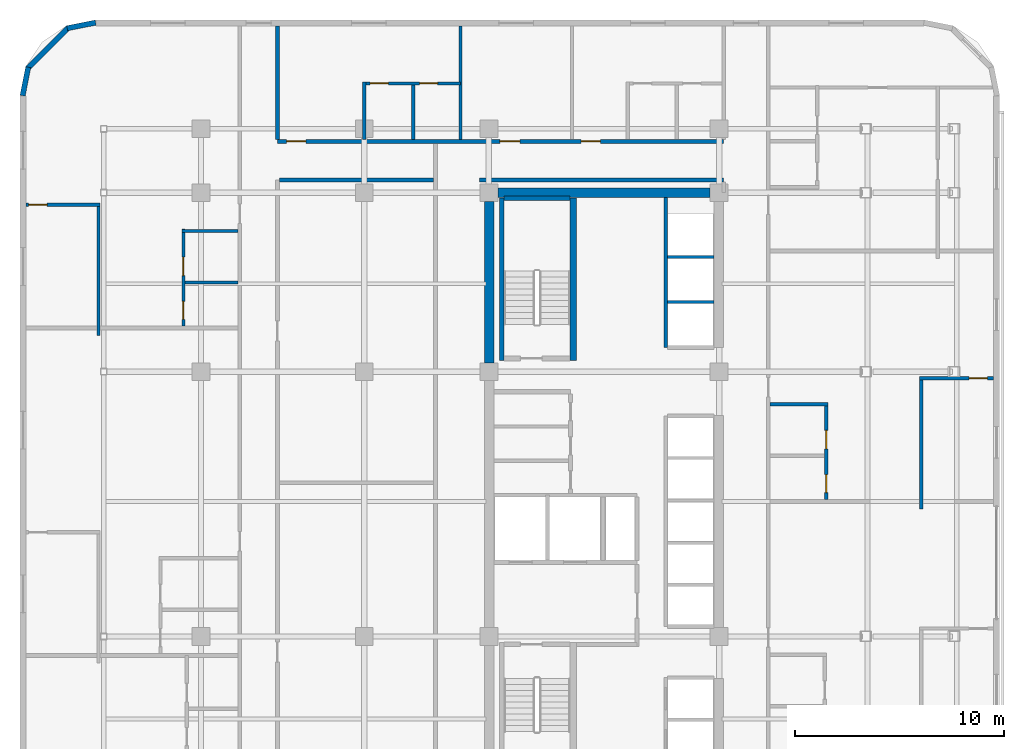
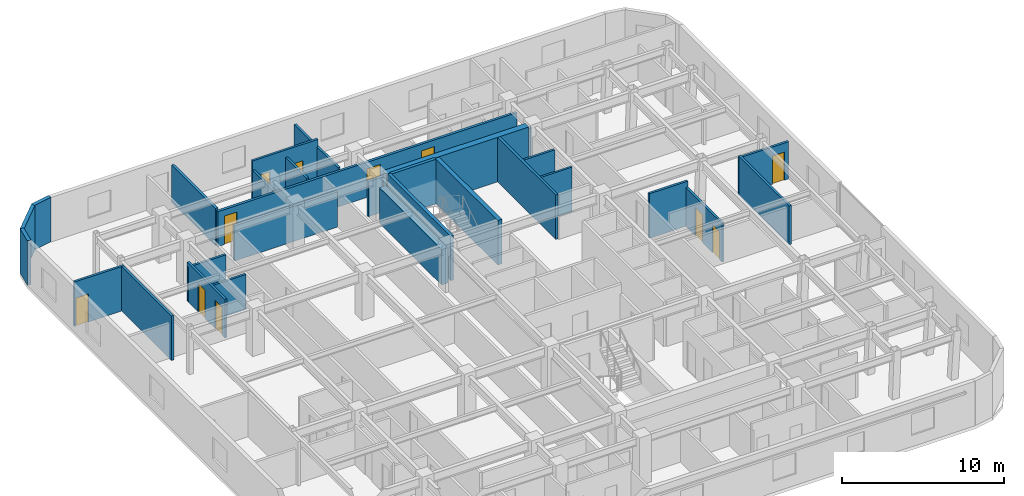
# One storey, part 10 of 15: 28 walls, 11 doors, 11 openings.
"""IFC4 building model written with IfcOpenShell, lengths in metres."""

from ifc_helpers import new_model, si_unit, direction, frame, frame_2d, origin, place, context, subcontext, project, spatial, rectangle, extrude, material, layer, layer_set, type_object, element, fill, save


model = new_model("IFC4")

# Units and contexts
model_context = context("Model", 3, precision=1e-05, world=origin(), true_north=direction((0.0, 1.0)))
body_context = subcontext(model_context, "Body", "Model", "MODEL_VIEW")
ifc_project = project(units=[si_unit("LENGTHUNIT", "METRE"), si_unit("AREAUNIT", "SQUARE_METRE"), si_unit("VOLUMEUNIT", "CUBIC_METRE"), si_unit("PLANEANGLEUNIT", "RADIAN"), si_unit("MASSUNIT", "GRAM", prefix="KILO")], contexts=[model_context])

# Site, building, storey
site_placement = place(None, origin())
site = spatial("IfcSite", under=ifc_project, at=site_placement, CompositionType="ELEMENT")
building_placement = place(site_placement, origin())
building = spatial("IfcBuilding", under=site, at=building_placement, Name="Ochreholt Gables", CompositionType="ELEMENT")
storey_placement = place(building_placement, frame((0.0, 0.0, 64.199951171875)))
storey = spatial("IfcBuildingStorey", under=building, at=storey_placement, Name="L16", CompositionType="ELEMENT", Elevation=64.199951171875)

# Walls
ifc_material_1 = material(Name="Concrete 60 MPa", Category="concrete")
ifc_layer_1 = layer(ifc_material_1, 0.449951171875, Name="Concrete 60 MPa")
ifc_layer_set_1 = layer_set([ifc_layer_1], Name="Concrete 60 MPa")
wall_type_1 = type_object("IfcWallType", Name="WALL-CSW-450", PredefinedType="SHEAR", material=ifc_layer_set_1)
wall_1_placement = place(storey_placement, frame((24.22509765625, 30.625, 0.0), z_axis=(0.0, 0.0, 1.0), x_axis=(0.0, 1.0, 0.0)))
element("IfcWall", 1, at=wall_1_placement, inside=storey, type_object=wall_type_1, Name="L16 Core West Shear Wall WN", PredefinedType="SHEAR", context=body_context, shape_type="SweptSolid", body=[
    extrude(rectangle(XDim=7.699951171875, YDim=0.449951171875, at=frame_2d((3.85009765625, 0.0))), origin(), (0.0, 0.0, 1.0), 2.6669921875),
])
wall_2_placement = place(storey_placement, frame((24.625, 38.75, 0.0), z_axis=(0.0, 0.0, 1.0), x_axis=(1.0, 0.0, 0.0)))
element("IfcWall", 2, at=wall_2_placement, inside=storey, type_object=wall_type_1, Name="L16 Core North Shear Wall", PredefinedType="SHEAR", context=body_context, shape_type="SweptSolid", body=[
    extrude(rectangle(XDim=10.14990234375, YDim=0.449951171875, at=frame_2d((5.074951171875, 0.0))), origin(), (0.0, 0.0, 1.0), 3.360107421875),
])
ifc_material_2 = material(Name="Precast concrete 40 MPa", Category="concrete")
ifc_layer_2 = layer(ifc_material_2, 0.25, Name="Precast concrete 40 MPa")
ifc_layer_set_2 = layer_set([ifc_layer_2], Name="Precast concrete 40 MPa")
wall_type_2 = type_object("IfcWallType", Name="WALL-EXT-CNR", PredefinedType="SOLIDWALL", material=ifc_layer_set_2)
wall_3_placement = place(storey_placement, frame((5.41650390625, 46.875732421875, 0.0), z_axis=(0.0, 0.0, 1.0), x_axis=(-0.980809899341, -0.19496651342, 0.0)))
element("IfcWall", 3, at=wall_3_placement, inside=storey, type_object=wall_type_2, Name="L16 Rounded Corner Wall NW-1", PredefinedType="SOLIDWALL", context=body_context, shape_type="SweptSolid", body=[
    extrude(rectangle(XDim=1.388671875, YDim=0.25, at=frame_2d((0.6943359375, 0.0))), origin(), (0.0, 0.0, 1.0), 3.360107421875),
])
wall_4_placement = place(storey_placement, frame((4.10498046875, 46.632080078125, 0.0), z_axis=(0.0, 0.0, 1.0), x_axis=(-0.707106781187, -0.707106781187, 0.0)))
element("IfcWall", 4, at=wall_4_placement, inside=storey, type_object=wall_type_2, Name="L16 Rounded Corner Wall NW-2", PredefinedType="SOLIDWALL", context=body_context, shape_type="SweptSolid", body=[
    extrude(rectangle(XDim=2.7392578125, YDim=0.25, at=frame_2d((1.36962890625, 0.0))), origin(), (0.0, 0.0, 1.0), 3.360107421875),
])
wall_5_placement = place(storey_placement, frame((2.195068359375, 44.74560546875, 0.0), z_axis=(0.0, 0.0, 1.0), x_axis=(-0.19496651342, -0.980809899341, 0.0)))
element("IfcWall", 5, at=wall_5_placement, inside=storey, type_object=wall_type_2, Name="L16 Rounded Corner Wall NW-3", PredefinedType="SOLIDWALL", context=body_context, shape_type="SweptSolid", body=[
    extrude(rectangle(XDim=1.388671875, YDim=0.25, at=frame_2d((0.6943359375, 0.0))), origin(), (0.0, 0.0, 1.0), 3.360107421875),
])

# Wall, openings, doors
ifc_material_3 = material(Name="Fire-Rated Gypsum Acoustic Partition", Category="gypsum")
ifc_layer_3 = layer(ifc_material_3, 0.179931640625, Name="Fire-Rated Gypsum Acoustic Partition")
ifc_layer_set_3 = layer_set([ifc_layer_3], Name="Fire-Rated Gypsum Acoustic Partition")
wall_type_3 = type_object("IfcWallType", Name="WALL-INT-CR180", PredefinedType="STANDARD", material=ifc_layer_set_3)
wall_6_placement = place(storey_placement, frame((14.10009765625, 41.199951171875, 0.0), z_axis=(0.0, 0.0, 1.0), x_axis=(1.0, 0.0, 0.0)))
wall_6 = element("IfcWall", 6, at=wall_6_placement, inside=storey, type_object=wall_type_3, Name="L16 Interior Wall WI-C1N-L16", PredefinedType="STANDARD", context=body_context, shape_type="SweptSolid", body=[
    extrude(rectangle(XDim=21.31982421875, YDim=0.179931640625, at=frame_2d((10.659912109375, 0.0))), origin(), (0.0, 0.0, 1.0), 2.649169921875),
])
opening_1_placement = place(wall_6_placement, frame((0.43994140625, 0.0, 0.0)))
opening_1 = element("IfcOpeningElement", 7, at=opening_1_placement, cuts=wall_6, Name="Opening D-UN1", PredefinedType="OPENING", context=body_context, shape_type="SweptSolid", body=[
    extrude(rectangle(XDim=0.919921875, YDim=2.14990234375, at=frame_2d((0.4599609375, 1.074951171875))), frame((0.0, 0.099853515625, 0.0), z_axis=(0.0, -1.0, 0.0), x_axis=(1.0, 0.0, 0.0)), (0.0, 0.0, 1.0), 0.199951171875),
])
opening_2_placement = place(wall_6_placement, frame((10.631103515625, 0.0, 0.0)))
opening_2 = element("IfcOpeningElement", 8, at=opening_2_placement, cuts=wall_6, Name="Opening D-GN1", PredefinedType="OPENING", context=body_context, shape_type="SweptSolid", body=[
    extrude(rectangle(XDim=0.949951171875, YDim=2.14990234375, at=frame_2d((0.47509765625, 1.074951171875))), frame((0.0, 0.099853515625, 0.0), z_axis=(0.0, -1.0, 0.0), x_axis=(1.0, 0.0, 0.0)), (0.0, 0.0, 1.0), 0.199951171875),
])
opening_3_placement = place(wall_6_placement, frame((14.51123046875, 0.0, 0.0)))
opening_3 = element("IfcOpeningElement", 9, at=opening_3_placement, cuts=wall_6, Name="Opening D-UN1", PredefinedType="OPENING", context=body_context, shape_type="SweptSolid", body=[
    extrude(rectangle(XDim=0.919921875, YDim=2.14990234375, at=frame_2d((0.4599609375, 1.074951171875))), frame((0.0, 0.099853515625, 0.0), z_axis=(0.0, -1.0, 0.0), x_axis=(1.0, 0.0, 0.0)), (0.0, 0.0, 1.0), 0.199951171875),
])
ifc_material_4 = material(Name="Engineered Oak Timber", Category="wood")
door_type_1 = type_object("IfcDoorType", Name="DR-INT-GEN950", OperationType="NOTDEFINED", PredefinedType="DOOR", material=ifc_material_4)
door_1_placement = place(opening_2_placement, origin())
door_1 = element("IfcDoor", 10, at=door_1_placement, inside=storey, type_object=door_type_1, Name="L16 Door D-C1N3-L16", OperationType="SINGLE_SWING_RIGHT", OverallHeight=2.14990234375, OverallWidth=0.949951171875, PredefinedType="DOOR", context=body_context, shape_type="SweptSolid", body=[
    extrude(rectangle(XDim=0.949951171875, YDim=2.14990234375, at=frame_2d((0.47509765625, 1.074951171875))), frame((0.0, 0.02490234375, 0.0), z_axis=(0.0, -1.0, 0.0), x_axis=(1.0, 0.0, 0.0)), (0.0, 0.0, 1.0), 0.050048828125),
])
fill(opening_2, door_1)
door_type_2 = type_object("IfcDoorType", Name="DR-INT-UNT920", OperationType="NOTDEFINED", PredefinedType="DOOR", material=ifc_material_4)
door_2_placement = place(opening_1_placement, origin())
door_2 = element("IfcDoor", 11, at=door_2_placement, inside=storey, type_object=door_type_2, Name="L16 Door D-U-L16N1-ENT", OperationType="SINGLE_SWING_RIGHT", OverallHeight=2.14990234375, OverallWidth=0.919921875, PredefinedType="DOOR", context=body_context, shape_type="SweptSolid", body=[
    extrude(rectangle(XDim=0.919921875, YDim=2.14990234375, at=frame_2d((0.4599609375, 1.074951171875))), frame((0.0, 0.02490234375, 0.0), z_axis=(0.0, -1.0, 0.0), x_axis=(1.0, 0.0, 0.0)), (0.0, 0.0, 1.0), 0.050048828125),
])
fill(opening_1, door_2)
door_3_placement = place(opening_3_placement, origin())
door_3 = element("IfcDoor", 12, at=door_3_placement, inside=storey, type_object=door_type_2, Name="L16 Door D-U-L16N3-ENT", OperationType="SINGLE_SWING_RIGHT", OverallHeight=2.14990234375, OverallWidth=0.919921875, PredefinedType="DOOR", context=body_context, shape_type="SweptSolid", body=[
    extrude(rectangle(XDim=0.919921875, YDim=2.14990234375, at=frame_2d((0.4599609375, 1.074951171875))), frame((0.0, 0.02490234375, 0.0), z_axis=(0.0, -1.0, 0.0), x_axis=(1.0, 0.0, 0.0)), (0.0, 0.0, 1.0), 0.050048828125),
])
fill(opening_3, door_3)

# Walls
wall_7_placement = place(storey_placement, frame((23.75, 39.35009765625, 0.0), z_axis=(0.0, 0.0, 1.0), x_axis=(1.0, 0.0, 0.0)))
element("IfcWall", 13, at=wall_7_placement, inside=storey, type_object=wall_type_3, Name="L16 Interior Wall WI-C1N2-L16", PredefinedType="STANDARD", context=body_context, shape_type="SweptSolid", body=[
    extrude(rectangle(XDim=11.669921875, YDim=0.179931640625, at=frame_2d((5.8349609375, 0.0))), origin(), (0.0, 0.0, 1.0), 2.649169921875),
])
wall_8_placement = place(storey_placement, frame((14.18994140625, 39.35009765625, 0.0), z_axis=(0.0, 0.0, 1.0), x_axis=(1.0, 0.0, 0.0)))
element("IfcWall", 14, at=wall_8_placement, inside=storey, type_object=wall_type_3, Name="L16 Interior Wall WI-C1N2W-L16", PredefinedType="STANDARD", context=body_context, shape_type="SweptSolid", body=[
    extrude(rectangle(XDim=7.3701171875, YDim=0.179931640625, at=frame_2d((3.68505859375, 0.0))), origin(), (0.0, 0.0, 1.0), 2.649169921875),
])
ifc_material_5 = material(Name="Double-Stud Acoustic Demising Wall", Category="gypsum")
ifc_layer_4 = layer(ifc_material_5, 0.179931640625, Name="Double-Stud Acoustic Demising Wall")
ifc_layer_set_4 = layer_set([ifc_layer_4], Name="Double-Stud Acoustic Demising Wall")
wall_type_4 = type_object("IfcWallType", Name="WALL-INT-DM180", PredefinedType="PARTITIONING", material=ifc_layer_set_4)
wall_9_placement = place(storey_placement, frame((14.10009765625, 41.2900390625, 0.0), z_axis=(0.0, 0.0, 1.0), x_axis=(0.0, 1.0, 0.0)))
element("IfcWall", 15, at=wall_9_placement, inside=storey, type_object=wall_type_4, Name="L16 Interior Wall WI-C1WNI-L16", PredefinedType="PARTITIONING", context=body_context, shape_type="SweptSolid", body=[
    extrude(rectangle(XDim=5.419921875, YDim=0.179931640625, at=frame_2d((2.7099609375, 0.0))), origin(), (0.0, 0.0, 1.0), 2.80908203125),
])
ifc_material_6 = material(Name="Moisture-Resistant Plumbing Chase Wall", Category="gypsum")
ifc_layer_5 = layer(ifc_material_6, 0.159912109375, Name="Moisture-Resistant Plumbing Chase Wall")
ifc_layer_set_5 = layer_set([ifc_layer_5], Name="Moisture-Resistant Plumbing Chase Wall")
wall_type_5 = type_object("IfcWallType", Name="WALL-INT-PL160", PredefinedType="PLUMBINGWALL", material=ifc_layer_set_5)
wall_10_placement = place(storey_placement, frame((37.639892578125, 28.639892578125, 0.0), z_axis=(0.0, 0.0, 1.0), x_axis=(1.0, 0.0, 0.0)))
element("IfcWall", 16, at=wall_10_placement, inside=storey, type_object=wall_type_5, Name="L16 Interior Wall WU-L16E3-WYN", PredefinedType="PLUMBINGWALL", context=body_context, shape_type="SweptSolid", body=[
    extrude(rectangle(XDim=2.758056640625, YDim=0.159912109375, at=frame_2d((1.37890625, 0.0))), origin(), (0.0, 0.0, 1.0), 3.360107421875),
])

# Wall, openings, doors
wall_11_placement = place(storey_placement, frame((40.318115234375, 24.090087890625, 0.0), z_axis=(0.0, 0.0, 1.0), x_axis=(0.0, 1.0, 0.0)))
wall_11 = element("IfcWall", 17, at=wall_11_placement, inside=storey, type_object=wall_type_5, Name="L16 Interior Wall WU-L16E3-WX", PredefinedType="PLUMBINGWALL", context=body_context, shape_type="SweptSolid", body=[
    extrude(rectangle(XDim=4.639892578125, YDim=0.159912109375, at=frame_2d((2.31982421875, 0.0))), origin(), (0.0, 0.0, 1.0), 2.93212890625),
])
opening_4_placement = place(wall_11_placement, frame((0.330078125, 0.0, 0.0)))
opening_4 = element("IfcOpeningElement", 18, at=opening_4_placement, cuts=wall_11, Name="Opening D-BT1", PredefinedType="OPENING", context=body_context, shape_type="SweptSolid", body=[
    extrude(rectangle(XDim=0.860107421875, YDim=2.1201171875, at=frame_2d((0.43017578125, 1.06005859375))), frame((0.0, 0.08984375, 0.0), z_axis=(0.0, -1.0, 0.0), x_axis=(1.0, 0.0, 0.0)), (0.0, 0.0, 1.0), 0.179931640625),
])
opening_5_placement = place(wall_11_placement, frame((2.423095703125, 0.0, 0.0)))
opening_5 = element("IfcOpeningElement", 19, at=opening_5_placement, cuts=wall_11, Name="Opening D-GN2", PredefinedType="OPENING", context=body_context, shape_type="SweptSolid", body=[
    extrude(rectangle(XDim=0.8798828125, YDim=2.1201171875, at=frame_2d((0.43994140625, 1.06005859375))), frame((0.0, 0.08984375, 0.0), z_axis=(0.0, -1.0, 0.0), x_axis=(1.0, 0.0, 0.0)), (0.0, 0.0, 1.0), 0.179931640625),
])
door_type_3 = type_object("IfcDoorType", Name="DR-INT-BTH860", OperationType="NOTDEFINED", PredefinedType="DOOR", material=ifc_material_4)
door_4_placement = place(opening_4_placement, origin())
door_4 = element("IfcDoor", 20, at=door_4_placement, inside=storey, type_object=door_type_3, Name="L16 Door D-U-L16E3-BTH", OperationType="SINGLE_SWING_LEFT", OverallHeight=2.1201171875, OverallWidth=0.860107421875, PredefinedType="DOOR", context=body_context, shape_type="SweptSolid", body=[
    extrude(rectangle(XDim=0.860107421875, YDim=2.1201171875, at=frame_2d((0.43017578125, 1.06005859375))), frame((0.0, 0.02490234375, 0.0), z_axis=(0.0, -1.0, 0.0), x_axis=(1.0, 0.0, 0.0)), (0.0, 0.0, 1.0), 0.050048828125),
])
fill(opening_4, door_4)
door_type_4 = type_object("IfcDoorType", Name="DR-INT-GEN880", OperationType="NOTDEFINED", PredefinedType="DOOR", material=ifc_material_4)
door_5_placement = place(opening_5_placement, origin())
door_5 = element("IfcDoor", 21, at=door_5_placement, inside=storey, type_object=door_type_4, Name="L16 Door D-U-L16E3-KIT", OperationType="SINGLE_SWING_RIGHT", OverallHeight=2.1201171875, OverallWidth=0.8798828125, PredefinedType="DOOR", context=body_context, shape_type="SweptSolid", body=[
    extrude(rectangle(XDim=0.8798828125, YDim=2.1201171875, at=frame_2d((0.43994140625, 1.06005859375))), frame((0.0, 0.02490234375, 0.0), z_axis=(0.0, -1.0, 0.0), x_axis=(1.0, 0.0, 0.0)), (0.0, 0.0, 1.0), 0.050048828125),
])
fill(opening_5, door_5)

# Wall
wall_12_placement = place(storey_placement, frame((9.528076171875, 36.919921875, 0.0), z_axis=(0.0, 0.0, 1.0), x_axis=(1.0, 0.0, 0.0)))
element("IfcWall", 22, at=wall_12_placement, inside=storey, type_object=wall_type_5, Name="L16 Interior Wall WU-L16W3-WYN", PredefinedType="PLUMBINGWALL", context=body_context, shape_type="SweptSolid", body=[
    extrude(rectangle(XDim=2.681884765625, YDim=0.159912109375, at=frame_2d((1.3408203125, 0.0))), origin(), (0.0, 0.0, 1.0), 2.649169921875),
])

# Wall, openings, doors
wall_13_placement = place(storey_placement, frame((9.60791015625, 32.3701171875, 0.0), z_axis=(0.0, 0.0, 1.0), x_axis=(0.0, 1.0, 0.0)))
wall_13 = element("IfcWall", 23, at=wall_13_placement, inside=storey, type_object=wall_type_5, Name="L16 Interior Wall WU-L16W3-WX", PredefinedType="PLUMBINGWALL", context=body_context, shape_type="SweptSolid", body=[
    extrude(rectangle(XDim=4.639892578125, YDim=0.159912109375, at=frame_2d((2.31982421875, 0.0))), origin(), (0.0, 0.0, 1.0), 2.93212890625),
])
opening_6_placement = place(wall_13_placement, frame((0.330078125, 0.0, 0.0)))
opening_6 = element("IfcOpeningElement", 24, at=opening_6_placement, cuts=wall_13, Name="Opening D-BT1", PredefinedType="OPENING", context=body_context, shape_type="SweptSolid", body=[
    extrude(rectangle(XDim=0.860107421875, YDim=2.1201171875, at=frame_2d((0.43017578125, 1.06005859375))), frame((0.0, 0.08984375, 0.0), z_axis=(0.0, -1.0, 0.0), x_axis=(1.0, 0.0, 0.0)), (0.0, 0.0, 1.0), 0.179931640625),
])
opening_7_placement = place(wall_13_placement, frame((2.423095703125, 0.0, 0.0)))
opening_7 = element("IfcOpeningElement", 25, at=opening_7_placement, cuts=wall_13, Name="Opening D-GN2", PredefinedType="OPENING", context=body_context, shape_type="SweptSolid", body=[
    extrude(rectangle(XDim=0.8798828125, YDim=2.1201171875, at=frame_2d((0.43994140625, 1.06005859375))), frame((0.0, 0.08984375, 0.0), z_axis=(0.0, -1.0, 0.0), x_axis=(1.0, 0.0, 0.0)), (0.0, 0.0, 1.0), 0.179931640625),
])
door_6_placement = place(opening_6_placement, origin())
door_6 = element("IfcDoor", 26, at=door_6_placement, inside=storey, type_object=door_type_3, Name="L16 Door D-U-L16W3-BTH", OperationType="SINGLE_SWING_LEFT", OverallHeight=2.1201171875, OverallWidth=0.860107421875, PredefinedType="DOOR", context=body_context, shape_type="SweptSolid", body=[
    extrude(rectangle(XDim=0.860107421875, YDim=2.1201171875, at=frame_2d((0.43017578125, 1.06005859375))), frame((0.0, 0.02490234375, 0.0), z_axis=(0.0, -1.0, 0.0), x_axis=(1.0, 0.0, 0.0)), (0.0, 0.0, 1.0), 0.050048828125),
])
fill(opening_6, door_6)
door_7_placement = place(opening_7_placement, origin())
door_7 = element("IfcDoor", 27, at=door_7_placement, inside=storey, type_object=door_type_4, Name="L16 Door D-U-L16W3-KIT", OperationType="SINGLE_SWING_RIGHT", OverallHeight=2.1201171875, OverallWidth=0.8798828125, PredefinedType="DOOR", context=body_context, shape_type="SweptSolid", body=[
    extrude(rectangle(XDim=0.8798828125, YDim=2.1201171875, at=frame_2d((0.43994140625, 1.06005859375))), frame((0.0, 0.02490234375, 0.0), z_axis=(0.0, -1.0, 0.0), x_axis=(1.0, 0.0, 0.0)), (0.0, 0.0, 1.0), 0.050048828125),
])
fill(opening_7, door_7)

# Wall
wall_14_placement = place(storey_placement, frame((9.68798828125, 34.462890625, 0.0), z_axis=(0.0, 0.0, 1.0), x_axis=(1.0, 0.0, 0.0)))
element("IfcWall", 28, at=wall_14_placement, inside=storey, type_object=wall_type_5, Name="L16 Interior Wall WU-L16W3-WM", PredefinedType="PLUMBINGWALL", context=body_context, shape_type="SweptSolid", body=[
    extrude(rectangle(XDim=2.52197265625, YDim=0.159912109375, at=frame_2d((1.260986328125, 0.0))), origin(), (0.0, 0.0, 1.0), 2.649169921875),
])

# Wall, openings, doors
wall_15_placement = place(storey_placement, frame((18.171142578125, 43.969970703125, 0.0), z_axis=(0.0, 0.0, 1.0), x_axis=(1.0, 0.0, 0.0)))
wall_15 = element("IfcWall", 29, at=wall_15_placement, inside=storey, type_object=wall_type_5, Name="L16 Interior Wall WU-L16N1-WY", PredefinedType="PLUMBINGWALL", context=body_context, shape_type="SweptSolid", body=[
    extrude(rectangle(XDim=4.670166015625, YDim=0.159912109375, at=frame_2d((2.3349609375, 0.0))), origin(), (0.0, 0.0, 1.0), 3.360107421875),
])
opening_8_placement = place(wall_15_placement, frame((0.35009765625, 0.0, 0.0)))
opening_8 = element("IfcOpeningElement", 30, at=opening_8_placement, cuts=wall_15, Name="Opening D-GN2", PredefinedType="OPENING", context=body_context, shape_type="SweptSolid", body=[
    extrude(rectangle(XDim=0.8798828125, YDim=2.1201171875, at=frame_2d((0.43994140625, 1.06005859375))), frame((0.0, 0.08984375, 0.0), z_axis=(0.0, -1.0, 0.0), x_axis=(1.0, 0.0, 0.0)), (0.0, 0.0, 1.0), 0.179931640625),
])
opening_9_placement = place(wall_15_placement, frame((2.719970703125, 0.0, 0.0)))
opening_9 = element("IfcOpeningElement", 31, at=opening_9_placement, cuts=wall_15, Name="Opening D-BT1", PredefinedType="OPENING", context=body_context, shape_type="SweptSolid", body=[
    extrude(rectangle(XDim=0.860107421875, YDim=2.1201171875, at=frame_2d((0.43017578125, 1.06005859375))), frame((0.0, 0.08984375, 0.0), z_axis=(0.0, -1.0, 0.0), x_axis=(1.0, 0.0, 0.0)), (0.0, 0.0, 1.0), 0.179931640625),
])
door_8_placement = place(opening_9_placement, origin())
door_8 = element("IfcDoor", 32, at=door_8_placement, inside=storey, type_object=door_type_3, Name="L16 Door D-U-L16N1-BTH", OperationType="SINGLE_SWING_RIGHT", OverallHeight=2.1201171875, OverallWidth=0.860107421875, PredefinedType="DOOR", context=body_context, shape_type="SweptSolid", body=[
    extrude(rectangle(XDim=0.860107421875, YDim=2.1201171875, at=frame_2d((0.43017578125, 1.06005859375))), frame((0.0, 0.02490234375, 0.0), z_axis=(0.0, -1.0, 0.0), x_axis=(1.0, 0.0, 0.0)), (0.0, 0.0, 1.0), 0.050048828125),
])
fill(opening_9, door_8)
door_9_placement = place(opening_8_placement, origin())
door_9 = element("IfcDoor", 33, at=door_9_placement, inside=storey, type_object=door_type_4, Name="L16 Door D-U-L16N1-KIT", OperationType="SINGLE_SWING_LEFT", OverallHeight=2.1201171875, OverallWidth=0.8798828125, PredefinedType="DOOR", context=body_context, shape_type="SweptSolid", body=[
    extrude(rectangle(XDim=0.8798828125, YDim=2.1201171875, at=frame_2d((0.43994140625, 1.06005859375))), frame((0.0, 0.02490234375, 0.0), z_axis=(0.0, -1.0, 0.0), x_axis=(1.0, 0.0, 0.0)), (0.0, 0.0, 1.0), 0.050048828125),
])
fill(opening_8, door_9)

# Walls
wall_16_placement = place(storey_placement, frame((18.251220703125, 41.2900390625, 0.0), z_axis=(0.0, 0.0, 1.0), x_axis=(0.0, 1.0, 0.0)))
element("IfcWall", 34, at=wall_16_placement, inside=storey, type_object=wall_type_5, Name="L16 Interior Wall WU-L16N1-FY", PredefinedType="PLUMBINGWALL", context=body_context, shape_type="SweptSolid", body=[
    extrude(rectangle(XDim=2.760009765625, YDim=0.159912109375, at=frame_2d((1.3798828125, 0.0))), origin(), (0.0, 0.0, 1.0), 2.649169921875),
])
wall_17_placement = place(storey_placement, frame((20.59130859375, 41.2900390625, 0.0), z_axis=(0.0, 0.0, 1.0), x_axis=(0.0, 1.0, 0.0)))
element("IfcWall", 35, at=wall_17_placement, inside=storey, type_object=wall_type_5, Name="L16 Interior Wall WU-L16N1-WK", PredefinedType="PLUMBINGWALL", context=body_context, shape_type="SweptSolid", body=[
    extrude(rectangle(XDim=2.599853515625, YDim=0.159912109375, at=frame_2d((1.2998046875, 0.0))), origin(), (0.0, 0.0, 1.0), 2.80908203125),
])
ifc_material_7 = material(Name="Gypsum Acoustic Stud Partition", Category="gypsum")
ifc_layer_6 = layer(ifc_material_7, 0.159912109375, Name="Gypsum Acoustic Stud Partition")
ifc_layer_set_6 = layer_set([ifc_layer_6], Name="Gypsum Acoustic Stud Partition")
wall_type_6 = type_object("IfcWallType", Name="WALL-INT-PT160", PredefinedType="PARTITIONING", material=ifc_layer_set_6)
wall_18_placement = place(storey_placement, frame((44.85009765625, 23.639892578125, 0.0), z_axis=(0.0, 0.0, 1.0), x_axis=(0.0, 1.0, 0.0)))
element("IfcWall", 36, at=wall_18_placement, inside=storey, type_object=wall_type_6, Name="L16 Interior Wall WU-L16E3-STW", PredefinedType="PARTITIONING", context=body_context, shape_type="SweptSolid", body=[
    extrude(rectangle(XDim=6.25, YDim=0.159912109375, at=frame_2d((3.125, 0.0))), origin(), (0.0, 0.0, 1.0), 2.93212890625),
])

# Wall, opening, door
wall_19_placement = place(storey_placement, frame((44.77001953125, 29.889892578125, 0.0), z_axis=(0.0, 0.0, 1.0), x_axis=(1.0, 0.0, 0.0)))
wall_19 = element("IfcWall", 37, at=wall_19_placement, inside=storey, type_object=wall_type_6, Name="L16 Interior Wall WU-L16E3-STN", PredefinedType="PARTITIONING", context=body_context, shape_type="SweptSolid", body=[
    extrude(rectangle(XDim=3.5400390625, YDim=0.159912109375, at=frame_2d((1.77001953125, 0.0))), origin(), (0.0, 0.0, 1.0), 2.80908203125),
])
opening_10_placement = place(wall_19_placement, frame((2.3701171875, 0.0, 0.0)))
opening_10 = element("IfcOpeningElement", 38, at=opening_10_placement, cuts=wall_19, Name="Opening D-GN2", PredefinedType="OPENING", context=body_context, shape_type="SweptSolid", body=[
    extrude(rectangle(XDim=0.8798828125, YDim=2.1201171875, at=frame_2d((0.43994140625, 1.06005859375))), frame((0.0, 0.08984375, 0.0), z_axis=(0.0, -1.0, 0.0), x_axis=(1.0, 0.0, 0.0)), (0.0, 0.0, 1.0), 0.179931640625),
])
door_10_placement = place(opening_10_placement, origin())
door_10 = element("IfcDoor", 39, at=door_10_placement, inside=storey, type_object=door_type_4, Name="L16 Door D-U-L16E3-STD", OperationType="SINGLE_SWING_LEFT", OverallHeight=2.1201171875, OverallWidth=0.8798828125, PredefinedType="DOOR", context=body_context, shape_type="SweptSolid", body=[
    extrude(rectangle(XDim=0.8798828125, YDim=2.1201171875, at=frame_2d((0.43994140625, 1.06005859375))), frame((0.0, 0.02490234375, 0.0), z_axis=(0.0, -1.0, 0.0), x_axis=(1.0, 0.0, 0.0)), (0.0, 0.0, 1.0), 0.050048828125),
])
fill(opening_10, door_10)

# Wall
wall_20_placement = place(storey_placement, frame((5.550048828125, 31.919921875, 0.0), z_axis=(0.0, 0.0, 1.0), x_axis=(0.0, 1.0, 0.0)))
element("IfcWall", 40, at=wall_20_placement, inside=storey, type_object=wall_type_6, Name="L16 Interior Wall WU-L16W3-STW", PredefinedType="PARTITIONING", context=body_context, shape_type="SweptSolid", body=[
    extrude(rectangle(XDim=6.25, YDim=0.159912109375, at=frame_2d((3.125, 0.0))), origin(), (0.0, 0.0, 1.0), 3.360107421875),
])

# Wall, opening, door
wall_21_placement = place(storey_placement, frame((2.090087890625, 38.169921875, 0.0), z_axis=(0.0, 0.0, 1.0), x_axis=(1.0, 0.0, 0.0)))
wall_21 = element("IfcWall", 41, at=wall_21_placement, inside=storey, type_object=wall_type_6, Name="L16 Interior Wall WU-L16W3-STN", PredefinedType="PARTITIONING", context=body_context, shape_type="SweptSolid", body=[
    extrude(rectangle(XDim=3.539794921875, YDim=0.159912109375, at=frame_2d((1.77001953125, 0.0))), origin(), (0.0, 0.0, 1.0), 3.360107421875),
])
opening_11_placement = place(wall_21_placement, frame((0.1201171875, 0.0, 0.0)))
opening_11 = element("IfcOpeningElement", 42, at=opening_11_placement, cuts=wall_21, Name="Opening D-GN2", PredefinedType="OPENING", context=body_context, shape_type="SweptSolid", body=[
    extrude(rectangle(XDim=0.8798828125, YDim=2.1201171875, at=frame_2d((0.43994140625, 1.06005859375))), frame((0.0, 0.08984375, 0.0), z_axis=(0.0, -1.0, 0.0), x_axis=(1.0, 0.0, 0.0)), (0.0, 0.0, 1.0), 0.179931640625),
])
door_11_placement = place(opening_11_placement, origin())
door_11 = element("IfcDoor", 43, at=door_11_placement, inside=storey, type_object=door_type_4, Name="L16 Door D-U-L16W3-STD", OperationType="SINGLE_SWING_LEFT", OverallHeight=2.1201171875, OverallWidth=0.8798828125, PredefinedType="DOOR", context=body_context, shape_type="SweptSolid", body=[
    extrude(rectangle(XDim=0.8798828125, YDim=2.1201171875, at=frame_2d((0.43994140625, 1.06005859375))), frame((0.0, 0.02490234375, 0.0), z_axis=(0.0, -1.0, 0.0), x_axis=(1.0, 0.0, 0.0)), (0.0, 0.0, 1.0), 0.050048828125),
])
fill(opening_11, door_11)

# Walls
wall_22_placement = place(storey_placement, frame((22.84130859375, 41.2900390625, 0.0), z_axis=(0.0, 0.0, 1.0), x_axis=(0.0, 1.0, 0.0)))
element("IfcWall", 44, at=wall_22_placement, inside=storey, type_object=wall_type_6, Name="L16 Interior Wall WI-UDN2-L16", PredefinedType="PARTITIONING", context=body_context, shape_type="SweptSolid", body=[
    extrude(rectangle(XDim=5.419921875, YDim=0.159912109375, at=frame_2d((2.7099609375, 0.0))), origin(), (0.0, 0.0, 1.0), 2.80908203125),
])
ifc_material_8 = material(Name="Gypsum Shaftliner and Steel Stud", Category="steel")
ifc_layer_7 = layer(ifc_material_8, 0.14990234375, Name="Gypsum Shaftliner and Steel Stud")
ifc_layer_set_7 = layer_set([ifc_layer_7], Name="Gypsum Shaftliner and Steel Stud")
wall_type_7 = type_object("IfcWallType", Name="WALL-INT-SH150", PredefinedType="STANDARD", material=ifc_layer_set_7)
for number, where, z_axis, x_axis, name in (
    (45, (32.739990234375, 33.52001953125, 0.0), (0.0, 0.0, 1.0), (1.0, 0.0, 0.0), "L16 Interior Wall WI-LFM-D1-L16"),
    (46, (32.739990234375, 35.669921875, 0.0), (0.0, 0.0, 1.0), (1.0, 0.0, 0.0), "L16 Interior Wall WI-LFM-D2-L16"),
):
    element("IfcWall", number, at=place(storey_placement, frame(where, z_axis=z_axis, x_axis=x_axis)), inside=storey, type_object=wall_type_7, Name=name, PredefinedType="STANDARD", context=body_context, shape_type="SweptSolid", body=[
        extrude(rectangle(XDim=2.2099609375, YDim=0.14990234375, at=frame_2d((1.10498046875, 0.0))), origin(), (0.0, 0.0, 1.0), 3.360107421875),
    ])
ifc_layer_8 = layer(ifc_material_8, 0.179931640625, Name="Gypsum Shaftliner and Steel Stud")
ifc_layer_set_8 = layer_set([ifc_layer_8], Name="Gypsum Shaftliner and Steel Stud")
wall_type_8 = type_object("IfcWallType", Name="WALL-INT-SH180", PredefinedType="STANDARD", material=ifc_layer_set_8)
wall_23_placement = place(storey_placement, frame((32.64990234375, 31.35009765625, 0.0), z_axis=(0.0, 0.0, 1.0), x_axis=(0.0, 1.0, 0.0)))
element("IfcWall", 47, at=wall_23_placement, inside=storey, type_object=wall_type_8, Name="L16 Interior Wall WI-LFM-FR-L16", PredefinedType="STANDARD", context=body_context, shape_type="SweptSolid", body=[
    extrude(rectangle(XDim=7.1748046875, YDim=0.179931640625, at=frame_2d((3.58740234375, 0.0))), origin(), (0.0, 0.0, 1.0), 3.360107421875),
])
ifc_layer_9 = layer(ifc_material_1, 0.300048828125, Name="Concrete 60 MPa")
ifc_layer_set_9 = layer_set([ifc_layer_9], Name="Concrete 60 MPa")
wall_type_9 = type_object("IfcWallType", Name="WALL-SPN-300", PredefinedType="SHEAR", material=ifc_layer_set_9)
wall_24_placement = place(storey_placement, frame((28.22998046875, 30.739990234375, 0.0), z_axis=(0.0, 0.0, 1.0), x_axis=(0.0, 1.0, 0.0)))
element("IfcWall", 48, at=wall_24_placement, inside=storey, type_object=wall_type_9, Name="L16 Core North Spine Shear Wall", PredefinedType="SHEAR", context=body_context, shape_type="SweptSolid", body=[
    extrude(rectangle(XDim=7.760009765625, YDim=0.300048828125, at=frame_2d((3.8798828125, 0.0))), origin(), (0.0, 0.0, 1.0), 3.360107421875),
])
ifc_material_9 = material(Name="Concrete 50 MPa", Category="concrete")
ifc_layer_10 = layer(ifc_material_9, 0.219970703125, Name="Concrete 50 MPa")
ifc_layer_set_10 = layer_set([ifc_layer_10], Name="Concrete 50 MPa")
wall_type_10 = type_object("IfcWallType", Name="WALL-STW-220", PredefinedType="SHEAR", material=ifc_layer_set_10)
wall_25_placement = place(storey_placement, frame((24.81005859375, 30.739990234375, 0.0), z_axis=(0.0, 0.0, 1.0), x_axis=(0.0, 1.0, 0.0)))
element("IfcWall", 49, at=wall_25_placement, inside=storey, type_object=wall_type_10, Name="L16 Exit Stair 2 West Wall", PredefinedType="SHEAR", context=body_context, shape_type="SweptSolid", body=[
    extrude(rectangle(XDim=7.760009765625, YDim=0.219970703125, at=frame_2d((3.8798828125, 0.0))), origin(), (0.0, 0.0, 1.0), 3.360107421875),
])
wall_26_placement = place(storey_placement, frame((24.919921875, 38.489990234375, 0.0), z_axis=(0.0, 0.0, 1.0), x_axis=(1.0, 0.0, 0.0)))
element("IfcWall", 50, at=wall_26_placement, inside=storey, type_object=wall_type_10, Name="L16 Exit Stair 2 North Wall", PredefinedType="SHEAR", context=body_context, shape_type="SweptSolid", body=[
    extrude(rectangle(XDim=3.16015625, YDim=0.219970703125, at=frame_2d((1.580078125, 0.0))), origin(), (0.0, 0.0, 1.0), 3.360107421875),
])

save(model, "model.ifc")
